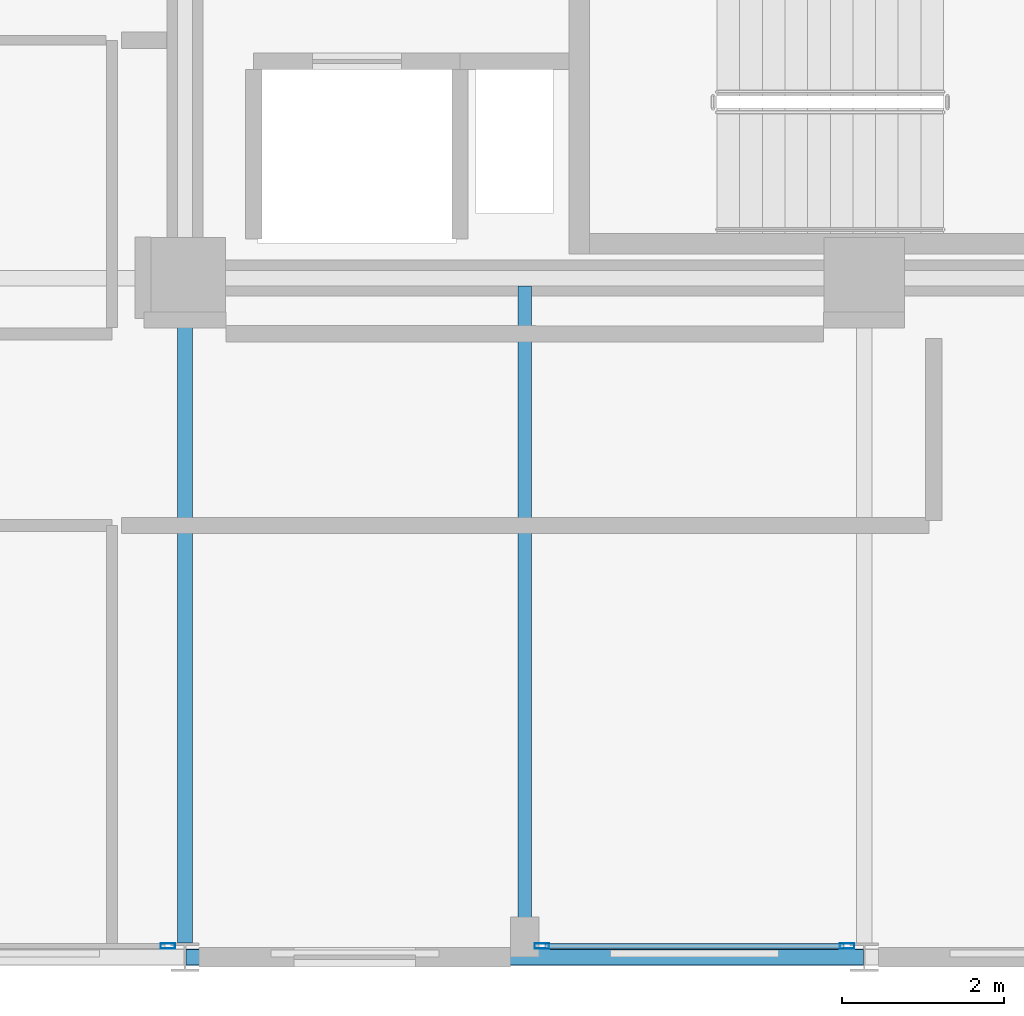
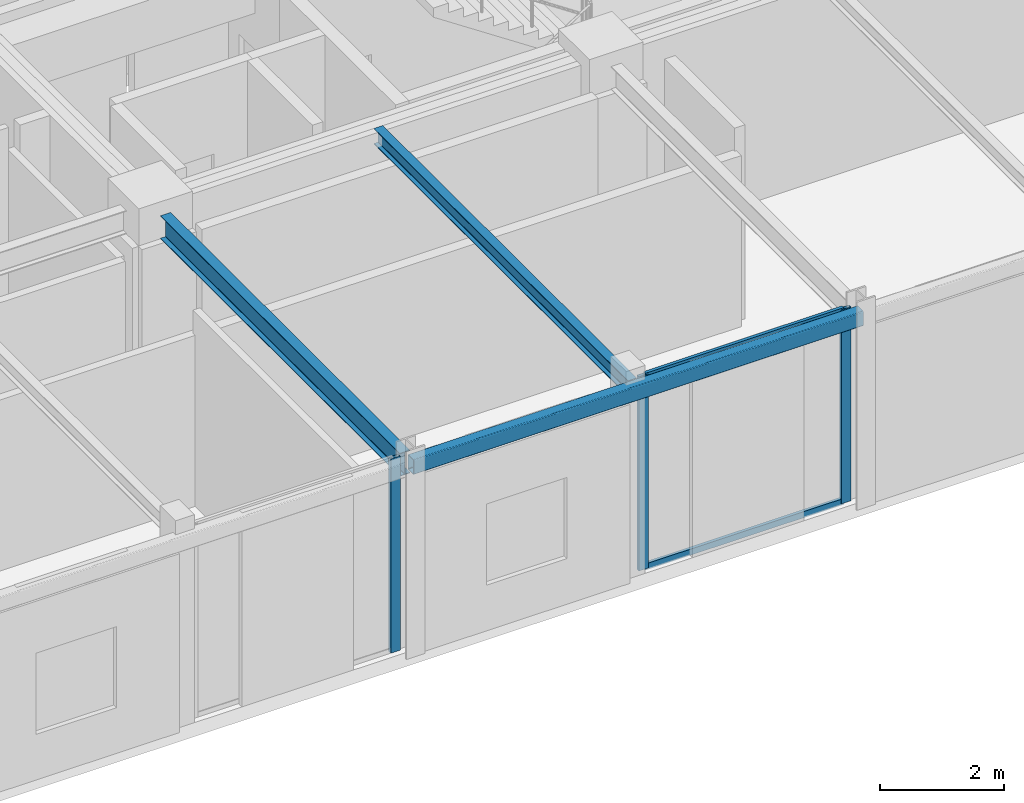
# One storey, part 6 of 25: 5 members, 3 beams, 2 elements without a shape of their own.
"""IFC4 building model written with IfcOpenShell, lengths in metres."""

import ifcopenshell
import ifcopenshell.guid

model = None  # the IFC model being written
_history = None  # IfcOwnerHistory: only IFC2X3 demands one
_inside = {}  # id of a spatial element -> (the spatial element, [elements in it])
_under = {}  # id of a project, library or spatial element -> (it, [spatial elements below it])
_declared = {}  # id of a project -> (the project, [libraries it declares])
_typed = {}  # id of a type object -> (the type object, [elements of that type])
_made_of = {}  # id of a material, layer set ... -> (it, [elements and type objects made of it])


def new_model(schema):
    """Start an empty IFC model of exactly this schema.

    Asked for "IFC4X3", IfcOpenShell would pick the latest addendum, in which some entities
    have other attributes; the version numbers below select the first issue.
    IFC2X3 requires an IfcOwnerHistory on every rooted entity: one is made here for all.
    """
    global model, _history
    if schema == "IFC4X3":
        model = ifcopenshell.file(schema_version=(4, 3, 0, 0))
    else:
        model = ifcopenshell.file(schema=schema)
    _inside.clear()
    _under.clear()
    _declared.clear()
    _typed.clear()
    _made_of.clear()
    _history = None
    if model.schema == "IFC2X3":
        org = make("IfcOrganization", Name="unknown")
        user = make(
            "IfcPersonAndOrganization",
            ThePerson=make("IfcPerson", FamilyName="unknown"),
            TheOrganization=org,
        )
        app = make(
            "IfcApplication",
            ApplicationDeveloper=org,
            Version="unknown",
            ApplicationFullName="unknown",
            ApplicationIdentifier="unknown",
        )
        _history = make(
            "IfcOwnerHistory",
            OwningUser=user,
            OwningApplication=app,
            ChangeAction="ADDED",
            CreationDate=0,
        )
    return model


def make(cls, **values):
    """One entity of the class cls with the attributes given. An attribute that is None is left unset."""
    return model.create_entity(
        cls, **{name: value for name, value in values.items() if value is not None}
    )


def rooted(cls, **values):
    """An entity with a GlobalId (a new one), such as an element, a storey or a relation."""
    return make(cls, GlobalId=ifcopenshell.guid.new(), OwnerHistory=_history, **values)


def si_unit(unit_type, name, prefix=None):
    """IfcSIUnit, for example si_unit("LENGTHUNIT", "METRE", prefix="MILLI")."""
    return make("IfcSIUnit", UnitType=unit_type, Prefix=prefix, Name=name)


def assignment(units):
    """IfcUnitAssignment: the units of a project."""
    return None if units is None else make("IfcUnitAssignment", Units=units)


def point(xyz):
    """IfcCartesianPoint."""
    return None if xyz is None else make("IfcCartesianPoint", Coordinates=xyz)


def direction(xyz):
    """IfcDirection."""
    return None if xyz is None else make("IfcDirection", DirectionRatios=xyz)


def frame(location, z_axis=None, x_axis=None):
    """IfcAxis2Placement3D, a coordinate frame: its origin and axes. An axis left out is left unset."""
    return make(
        "IfcAxis2Placement3D",
        Location=point(location),
        Axis=direction(z_axis),
        RefDirection=direction(x_axis),
    )


def frame_2d(location, x_axis=None):
    """IfcAxis2Placement2D, a coordinate frame in the plane: its origin and x axis."""
    return make(
        "IfcAxis2Placement2D", Location=point(location), RefDirection=direction(x_axis)
    )


def origin():
    """The frame at (0, 0, 0) with its axes left unset."""
    return frame((0.0, 0.0, 0.0))


def origin_2d():
    """The frame at (0, 0) in the plane with its x axis left unset."""
    return frame_2d((0.0, 0.0))


def place(relative_to, where):
    """IfcLocalPlacement: puts the frame where relative to a parent placement (None: the world)."""
    return make(
        "IfcLocalPlacement", PlacementRelTo=relative_to, RelativePlacement=where
    )


def context(
    kind, dimensions, precision=None, world=None, true_north=None, identifier=None
):
    """IfcGeometricRepresentationContext, for example the 3D "Model" context."""
    return make(
        "IfcGeometricRepresentationContext",
        ContextIdentifier=identifier,
        ContextType=kind,
        CoordinateSpaceDimension=dimensions,
        Precision=precision,
        WorldCoordinateSystem=world,
        TrueNorth=true_north,
    )


def subcontext(parent, identifier, kind, view, scale=None):
    """IfcGeometricRepresentationSubContext, for example "Body" below "Model"."""
    return make(
        "IfcGeometricRepresentationSubContext",
        ContextIdentifier=identifier,
        ContextType=kind,
        ParentContext=parent,
        TargetScale=scale,
        TargetView=view,
    )


def project(units=None, contexts=None):
    """IfcProject with its units and contexts."""
    return rooted(
        "IfcProject",
        Name="project",
        RepresentationContexts=contexts,
        UnitsInContext=assignment(units),
    )


def spatial(cls, under=None, at=None, **own):
    """A site, building, storey or space (cls), placed at a placement, below another one or the project."""
    s = rooted(cls, ObjectPlacement=at, **own)
    if under is not None:
        _under.setdefault(under.id(), (under, []))[1].append(s)
    return s


def profile(cls, at=None, kind="AREA", **sizes):
    """A parametric profile (cls). Its sizes go by their IFC names, for example OverallWidth=200.0."""
    return make(cls, ProfileType=kind, Position=at, **sizes)


def hollow_rectangle(**sizes):
    """IfcRectangleHollowProfileDef."""
    return profile("IfcRectangleHollowProfileDef", **sizes)


def i_section(**sizes):
    """IfcIShapeProfileDef."""
    return profile("IfcIShapeProfileDef", **sizes)


def extrude(swept, where, along, depth):
    """IfcExtrudedAreaSolid: the profile swept, set in the frame where, extruded along a direction by depth."""
    return make(
        "IfcExtrudedAreaSolid",
        SweptArea=swept,
        Position=where,
        ExtrudedDirection=direction(along),
        Depth=depth,
    )


def shape(context_of_items, identifier, shape_type, items):
    """IfcShapeRepresentation: the items that make up one representation, for example the "Body"."""
    return make(
        "IfcShapeRepresentation",
        ContextOfItems=context_of_items,
        RepresentationIdentifier=identifier,
        RepresentationType=shape_type,
        Items=items,
    )


def material(Name=None, Category=None):
    """IfcMaterial."""
    return make("IfcMaterial", Name=Name, Category=Category)


def layer(
    of_material, thickness, ventilated=None, Name=None, Category=None, Priority=None
):
    """IfcMaterialLayer: one layer of a wall or slab, of a material (None: an air gap)."""
    return make(
        "IfcMaterialLayer",
        Material=of_material,
        LayerThickness=thickness,
        IsVentilated=ventilated,
        Name=Name,
        Category=Category,
        Priority=Priority,
    )


def layer_set(layers, Name=None):
    """IfcMaterialLayerSet."""
    return make("IfcMaterialLayerSet", MaterialLayers=layers, LayerSetName=Name)


def material_profile(
    of_material, cross_section, Name=None, Category=None, Priority=None
):
    """IfcMaterialProfile: a cross section and its material."""
    return make(
        "IfcMaterialProfile",
        Name=Name,
        Material=of_material,
        Profile=cross_section,
        Priority=Priority,
        Category=Category,
    )


def profile_set(profiles, Name=None, composite=None):
    """IfcMaterialProfileSet."""
    return make(
        "IfcMaterialProfileSet",
        Name=Name,
        MaterialProfiles=profiles,
        CompositeProfile=composite,
    )


def made_of(thing, what):
    """Note that an element or type object is made of a material, layer set ...; save() writes the relation."""
    if what is not None:
        _made_of.setdefault(what.id(), (what, []))[1].append(thing)
    return thing


def type_object(cls, material=None, **own):
    """A type object (cls), such as IfcWallType, which elements share."""
    return made_of(rooted(cls, **own), material)


def element(
    cls,
    number,
    at=None,
    inside=None,
    cuts=None,
    type_object=None,
    material=None,
    context=None,
    identifier="Body",
    shape_type=None,
    held_by="IfcProductDefinitionShape",
    body=None,
    shapes=None,
    **own,
):
    """One element of the class cls, such as IfcWall. Its Tag is "e" and its number.

    at: its placement. inside: the storey or other place that contains it. cuts: it is an
    opening in that element (IfcRelVoidsElement). A single representation is given by context,
    identifier, shape_type and body (its items); several are given by shapes. held_by: the class
    of the entity that holds the representations. save() writes the other relations.
    """
    e = rooted(cls, Tag="e%d" % number, ObjectPlacement=at, **own)
    if body is not None:
        shapes = [shape(context, identifier, shape_type, body)]
    if shapes is not None:
        e.Representation = make(held_by, Representations=shapes)
    if inside is not None:
        _inside.setdefault(inside.id(), (inside, []))[1].append(e)
    if cuts is not None:
        rooted(
            "IfcRelVoidsElement", RelatingBuildingElement=cuts, RelatedOpeningElement=e
        )
    if type_object is not None:
        _typed.setdefault(type_object.id(), (type_object, []))[1].append(e)
    return made_of(e, material)


def aggregate(whole, parts):
    """IfcRelAggregates: a whole, such as a stair, and the parts it consists of."""
    return rooted("IfcRelAggregates", RelatingObject=whole, RelatedObjects=parts)


def save(model, path):
    """Write the relations noted so far, then the file.

    IfcRelAggregates (storeys below a building ...), IfcRelContainedInSpatialStructure (elements
    in a storey), IfcRelDefinesByType, IfcRelAssociatesMaterial and IfcRelDeclares: one each for
    every whole, place, type object, material and project.
    """
    for whole, parts in _under.values():
        aggregate(whole, parts)
    for where, things in _inside.values():
        rooted(
            "IfcRelContainedInSpatialStructure",
            RelatedElements=things,
            RelatingStructure=where,
        )
    for kind, things in _typed.values():
        rooted("IfcRelDefinesByType", RelatedObjects=things, RelatingType=kind)
    for what, things in _made_of.values():
        rooted("IfcRelAssociatesMaterial", RelatedObjects=things, RelatingMaterial=what)
    for by, libraries in _declared.values():
        rooted("IfcRelDeclares", RelatingContext=by, RelatedDefinitions=libraries)
    model.write(path)


model = new_model("IFC4")

# Units and contexts
model_context = context("Model", 3, precision=1e-05, world=origin(), true_north=direction((0.0, 1.0)))
body_context = subcontext(model_context, "Body", "Model", "MODEL_VIEW")
ifc_project = project(units=[si_unit("LENGTHUNIT", "METRE"), si_unit("AREAUNIT", "SQUARE_METRE"), si_unit("VOLUMEUNIT", "CUBIC_METRE"), si_unit("PLANEANGLEUNIT", "RADIAN"), si_unit("MASSUNIT", "GRAM", prefix="KILO")], contexts=[model_context])

# Site, building, storey
site_placement = place(None, origin())
site = spatial("IfcSite", under=ifc_project, at=site_placement, CompositionType="ELEMENT")
building_placement = place(site_placement, origin())
building = spatial("IfcBuilding", under=site, at=building_placement, Name="Nerrivon Quay Data Exchange", CompositionType="ELEMENT")
storey_placement = place(building_placement, frame((0.0, 0.0, 224.699951171875)))
storey = spatial("IfcBuildingStorey", under=building, at=storey_placement, Name="L53", CompositionType="ELEMENT", Elevation=224.699951171875)

# Beams
ifc_material_1 = material(Name="Steel Grade 350", Category="steel")
ifc_material_profile_1 = material_profile(ifc_material_1, i_section(OverallWidth=0.18994140625, OverallDepth=0.4541015625, WebThickness=0.008544921875, FlangeThickness=0.0126953125, FilletRadius=0.011474609375, at=origin_2d()), Name="460UB67.1")
ifc_profile_set_1 = profile_set([ifc_material_profile_1], Name="Steel Grade 350")
beam_type_1 = type_object("IfcBeamType", Name="BM-G6-460UB67", PredefinedType="BEAM", material=ifc_profile_set_1)
beam_1_placement = place(storey_placement, frame((16.800048828125, 0.175048828125, 3.59814453125), z_axis=(0.0, 1.0, 0.0), x_axis=(-1.0, 0.0, 0.0)))
element("IfcBeam", 1, at=beam_1_placement, inside=storey, type_object=beam_type_1, Name="L53 NS Girder X=16.8 (0.0..8.4)", PredefinedType="BEAM", context=body_context, shape_type="SweptSolid", body=[
    extrude(i_section(OverallWidth=0.18994140625, OverallDepth=0.4541015625, WebThickness=0.008544921875, FlangeThickness=0.0126953125, FilletRadius=0.011474609375, at=origin_2d()), origin(), (0.0, 0.0, 1.0), 7.724853515625),
])
ifc_material_profile_2 = material_profile(ifc_material_1, i_section(OverallWidth=0.166015625, OverallDepth=0.306884765625, WebThickness=0.006591796875, FlangeThickness=0.01171875, FilletRadius=0.011474609375, at=origin_2d()), Name="310UB46.2")
ifc_profile_set_2 = profile_set([ifc_material_profile_2], Name="Steel Grade 350")
beam_type_2 = type_object("IfcBeamType", Name="BM-J5-310UB46", PredefinedType="JOIST", material=ifc_profile_set_2)
beam_2_placement = place(storey_placement, frame((21.0, 0.10009765625, 3.671630859375), z_axis=(0.0, 1.0, 0.0), x_axis=(-1.0, 0.0, 0.0)))
element("IfcBeam", 2, at=beam_2_placement, inside=storey, type_object=beam_type_2, Name="L53 Secondary Joist X=21.0 (0.0..8.4)", PredefinedType="JOIST", context=body_context, shape_type="SweptSolid", body=[
    extrude(i_section(OverallWidth=0.166015625, OverallDepth=0.306884765625, WebThickness=0.006591796875, FlangeThickness=0.01171875, FilletRadius=0.011474609375, at=origin_2d()), origin(), (0.0, 0.0, 1.0), 8.204345703125),
])
ifc_material_2 = material(Name="Steel Grade C350L0 (350 MPa)", Category="steel")
ifc_material_profile_3 = material_profile(ifc_material_2, hollow_rectangle(XDim=0.199951171875, YDim=0.300048828125, WallThickness=0.012451171875, InnerFilletRadius=0.018798828125, OuterFilletRadius=0.03125, at=origin_2d()), Name="300x200x12.5RHS")
ifc_profile_set_3 = profile_set([ifc_material_profile_3], Name="Steel Grade C350L0 (350 MPa)")
beam_type_3 = type_object("IfcBeamType", Name="BM-SP3-300x200RHS", PredefinedType="SPANDREL", material=ifc_profile_set_3)
beam_3_placement = place(storey_placement, frame((16.81005859375, 0.0, 3.675048828125), z_axis=(1.0, 0.0, 0.0), x_axis=(0.0, 1.0, 0.0)))
element("IfcBeam", 3, at=beam_3_placement, inside=storey, type_object=beam_type_3, Name="L53 EW Girder Y=0.0 (16.8..25.2)", PredefinedType="SPANDREL", context=body_context, shape_type="SweptSolid", body=[
    extrude(hollow_rectangle(XDim=0.199951171875, YDim=0.300048828125, WallThickness=0.012451171875, InnerFilletRadius=0.018798828125, OuterFilletRadius=0.03125, at=origin_2d()), origin(), (0.0, 0.0, 1.0), 8.3798828125),
])

# Curtain wall, members
ifc_material_3 = material(Name="Anodised aluminium 6063-T6", Category="aluminium")
ifc_layer = layer(ifc_material_3, 0.195068359375)
ifc_layer_set = layer_set([ifc_layer], Name="Anodised aluminium 6063-T6")
curtain_wall_type = type_object("IfcCurtainWallType", Name="CW-SYS-06", PredefinedType="NOTDEFINED", material=ifc_layer_set)
curtain_wall_1_placement = place(storey_placement, origin())
curtain_wall_1 = element("IfcCurtainWall", 4, at=curtain_wall_1_placement, inside=storey, type_object=curtain_wall_type, Name="L53 Unitised Curtain Wall 4", PredefinedType="NOTDEFINED")
ifc_material_profile_4 = material_profile(ifc_material_3, hollow_rectangle(XDim=0.06494140625, YDim=0.179931640625, WallThickness=0.00341796875, at=origin_2d()), Name="ALU-MULL-180x65")
ifc_profile_set_4 = profile_set([ifc_material_profile_4], Name="Anodised aluminium 6063-T6")
member_type_1 = type_object("IfcMemberType", Name="CWM-180x65", PredefinedType="MULLION", material=ifc_profile_set_4)
member_1_placement = place(storey_placement, frame((24.987548828125, 0.139892578125, 0.0), z_axis=(0.0, 0.0, 1.0), x_axis=(0.0, -1.0, 0.0)))
member_1 = element("IfcMember", 5, at=member_1_placement, type_object=member_type_1, Name="CW06 mullion 1", PredefinedType="MULLION", context=body_context, shape_type="SweptSolid", body=[
    extrude(hollow_rectangle(XDim=0.06494140625, YDim=0.179931640625, WallThickness=0.00341796875, at=origin_2d()), origin(), (0.0, 0.0, 1.0), 3.824951171875),
])
member_2_placement = place(storey_placement, frame((21.21240234375, 0.139892578125, 0.0), z_axis=(0.0, 0.0, 1.0), x_axis=(0.0, -1.0, 0.0)))
member_2 = element("IfcMember", 6, at=member_2_placement, type_object=member_type_1, Name="CW06 mullion 2", PredefinedType="MULLION", context=body_context, shape_type="SweptSolid", body=[
    extrude(hollow_rectangle(XDim=0.06494140625, YDim=0.179931640625, WallThickness=0.00341796875, at=origin_2d()), origin(), (0.0, 0.0, 1.0), 3.824951171875),
])

# Curtain wall, member
curtain_wall_2_placement = place(storey_placement, origin())
curtain_wall_2 = element("IfcCurtainWall", 7, at=curtain_wall_2_placement, inside=storey, type_object=curtain_wall_type, Name="L53 Unitised Curtain Wall 6", PredefinedType="NOTDEFINED")
member_3_placement = place(storey_placement, frame((16.58740234375, 0.139892578125, 0.0), z_axis=(0.0, 0.0, 1.0), x_axis=(0.0, -1.0, 0.0)))
member_3 = element("IfcMember", 8, at=member_3_placement, type_object=member_type_1, Name="CW06 mullion 1", PredefinedType="MULLION", context=body_context, shape_type="SweptSolid", body=[
    extrude(hollow_rectangle(XDim=0.06494140625, YDim=0.179931640625, WallThickness=0.00341796875, at=origin_2d()), origin(), (0.0, 0.0, 1.0), 3.824951171875),
])
aggregate(curtain_wall_2, [member_3])

# Member
ifc_material_profile_5 = material_profile(ifc_material_3, hollow_rectangle(XDim=0.06005859375, YDim=0.1201171875, WallThickness=0.003173828125, at=origin_2d()), Name="ALU-TRAN-120x60")
ifc_profile_set_5 = profile_set([ifc_material_profile_5], Name="Anodised aluminium 6063-T6")
member_type_2 = type_object("IfcMemberType", Name="CWT-120x60", PredefinedType="USERDEFINED", material=ifc_profile_set_5)
member_4_placement = place(storey_placement, frame((24.949951171875, 0.139892578125, 0.032470703125), z_axis=(-1.0, 0.0, 0.0), x_axis=(0.0, -1.0, 0.0)))
member_4 = element("IfcMember", 9, at=member_4_placement, type_object=member_type_2, Name="CW06 transom 1.1", ObjectType="TRANSOM", PredefinedType="USERDEFINED", context=body_context, shape_type="SweptSolid", body=[
    extrude(hollow_rectangle(XDim=0.06005859375, YDim=0.1201171875, WallThickness=0.003173828125, at=origin_2d()), origin(), (0.0, 0.0, 1.0), 3.699951171875),
])

member_5_placement = place(storey_placement, frame((24.949951171875, 0.139892578125, 3.79248046875), z_axis=(-1.0, 0.0, 0.0), x_axis=(0.0, -1.0, 0.0)))
member_5 = element("IfcMember", 10, at=member_5_placement, type_object=member_type_2, Name="CW06 transom 1.2", ObjectType="TRANSOM", PredefinedType="USERDEFINED", context=body_context, shape_type="SweptSolid", body=[
    extrude(hollow_rectangle(XDim=0.06005859375, YDim=0.1201171875, WallThickness=0.003173828125, at=origin_2d()), origin(), (0.0, 0.0, 1.0), 3.699951171875),
])

aggregate(curtain_wall_1, [member_1, member_2, member_4, member_5])

save(model, "model.ifc")
